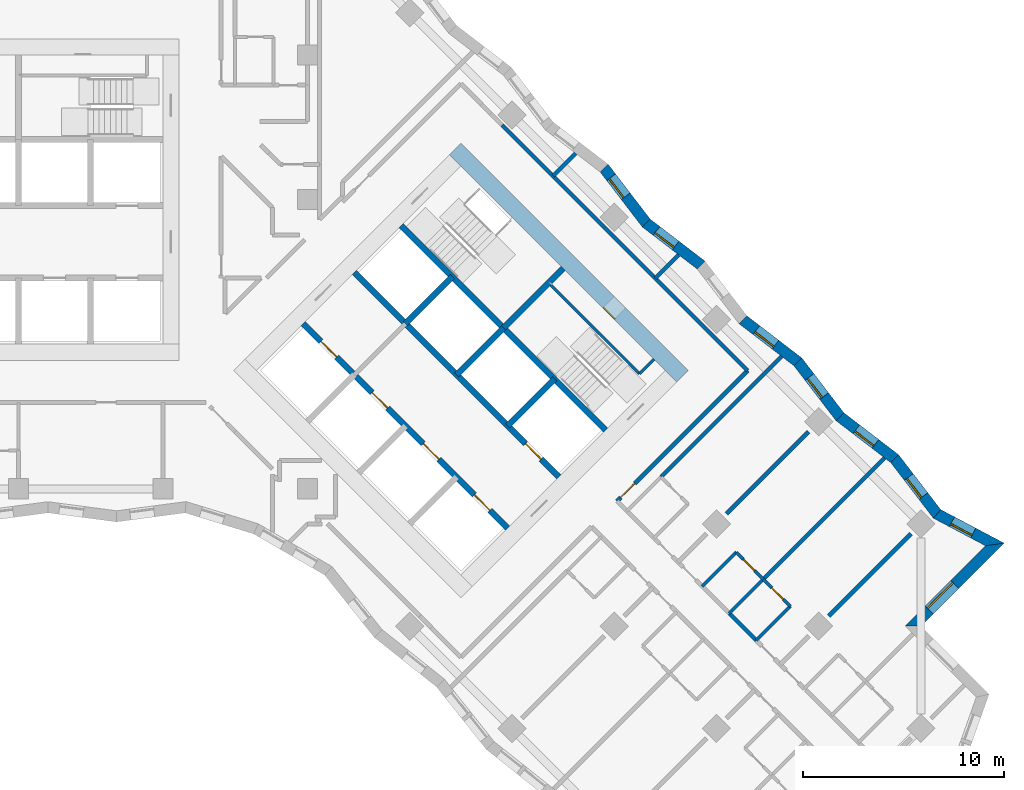
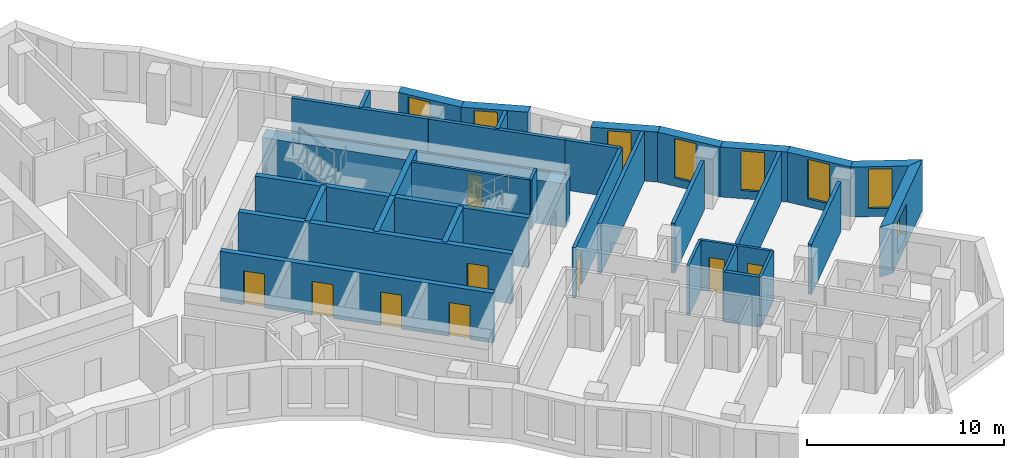
# One storey, part 10 of 13: 35 walls, 9 doors, 8 windows, 17 openings.
"""IFC4 building model written with IfcOpenShell, lengths in metres."""

from ifc_helpers import new_model, si_unit, direction, frame, frame_2d, origin, place, context, subcontext, project, spatial, polyline, rectangle, outline, extrude, material, layer, layer_set, type_object, element, fill, save


model = new_model("IFC4")

# Units and contexts
model_context = context("Model", 3, precision=1e-05, world=origin(), true_north=direction((0.0, 1.0)))
body_context = subcontext(model_context, "Body", "Model", "MODEL_VIEW")
ifc_project = project(units=[si_unit("LENGTHUNIT", "METRE"), si_unit("AREAUNIT", "SQUARE_METRE"), si_unit("VOLUMEUNIT", "CUBIC_METRE"), si_unit("PLANEANGLEUNIT", "RADIAN"), si_unit("MASSUNIT", "GRAM", prefix="KILO")], contexts=[model_context])

# Site, building, storey
site_placement = place(None, origin())
site = spatial("IfcSite", under=ifc_project, at=site_placement, CompositionType="ELEMENT")
building_placement = place(site_placement, origin())
building = spatial("IfcBuilding", under=site, at=building_placement, Name="Windrow Commons", CompositionType="ELEMENT")
storey_placement = place(building_placement, frame((0.0, 0.0, 98.2)))
storey = spatial("IfcBuildingStorey", under=building, at=storey_placement, Name="L26", CompositionType="ELEMENT", Elevation=98.2)

# Wall, opening, window
ifc_material_1 = material(Name="Brick masonry, red clay brick", Category="masonry")
ifc_layer_1 = layer(ifc_material_1, 0.55)
ifc_layer_set_1 = layer_set([ifc_layer_1], Name="Brick facade wall 550")
wall_type_1 = type_object("IfcWallType", Name="Brick facade wall 550", PredefinedType="SOLIDWALL", material=ifc_layer_set_1)
wall_1_placement = place(storey_placement, frame((109.3581, 36.3618, 0.0), z_axis=(0.0, 0.0, 1.0), x_axis=(0.7071067812, 0.7071067812, 0.0)))
wall_1 = element("IfcWall", 1, at=wall_1_placement, inside=storey, type_object=wall_type_1, Name="Brick facade wall L26 6", PredefinedType="SOLIDWALL", context=body_context, shape_type="SweptSolid", body=[
    extrude(outline(polyline([(0.275, -0.275), (6.126, -0.275), (5.3809, 0.275), (-0.275, 0.275), (0.275, -0.275)])), origin(), (0.0, 0.0, 1.0), 3.1),
])
opening_1_placement = place(wall_1_placement, frame((1.1375, 0.0, 0.6)))
opening_1 = element("IfcOpeningElement", 2, at=opening_1_placement, cuts=wall_1, Name="Opening W1L", PredefinedType="OPENING", context=body_context, shape_type="SweptSolid", body=[
    extrude(rectangle(XDim=1.8, YDim=1.9, at=frame_2d((0.9, 0.95))), frame((0.0, 0.285, 0.0), z_axis=(0.0, -1.0, 0.0), x_axis=(1.0, 0.0, 0.0)), (0.0, 0.0, 1.0), 0.57),
])
ifc_material_2 = material(Name="Clear float glass in anodised aluminium frame", Category="aluminium")
window_type_1 = type_object("IfcWindowType", Name="Window W1L bedroom 1800x1900", PartitioningType="SINGLE_PANEL", PredefinedType="WINDOW", material=ifc_material_2)
window_1_placement = place(opening_1_placement, origin())
window_1 = element("IfcWindow", 3, at=window_1_placement, inside=storey, type_object=window_type_1, Name="Window L26 6.1", OverallHeight=1.9, OverallWidth=1.8, PartitioningType="SINGLE_PANEL", PredefinedType="WINDOW", context=body_context, shape_type="SweptSolid", body=[
    extrude(rectangle(XDim=1.8, YDim=1.9, at=frame_2d((0.9, 0.95))), frame((0.0, 0.155, 0.0), z_axis=(0.0, -1.0, 0.0), x_axis=(1.0, 0.0, 0.0)), (0.0, 0.0, 1.0), 0.06),
])
fill(opening_1, window_1)

wall_2_placement = place(storey_placement, frame((113.4264, 40.4301, 0.0), z_axis=(0.0, 0.0, 1.0), x_axis=(-0.8840216829, 0.4674458944, 0.0)))
wall_2 = element("IfcWall", 4, at=wall_2_placement, inside=storey, type_object=wall_type_1, Name="Brick facade wall L26 7", PredefinedType="SOLIDWALL", context=body_context, shape_type="SweptSolid", body=[
    extrude(outline(polyline([(-0.3725, -0.275), (3.1952, -0.275), (3.3155, 0.275), (0.3725, 0.275), (-0.3725, -0.275)])), origin(), (0.0, 0.0, 1.0), 3.1),
])
opening_2_placement = place(wall_2_placement, frame((1.214, 0.0, 0.5)))
opening_2 = element("IfcOpeningElement", 5, at=opening_2_placement, cuts=wall_2, Name="Opening W7D", PredefinedType="OPENING", context=body_context, shape_type="SweptSolid", body=[
    extrude(rectangle(XDim=1.2, YDim=2.45, at=frame_2d((0.6, 1.225))), frame((0.0, 0.285, 0.0), z_axis=(0.0, -1.0, 0.0), x_axis=(1.0, 0.0, 0.0)), (0.0, 0.0, 1.0), 0.57),
])
ifc_material_3 = material(Name="Clear float glass in anodised aluminium frame", Category="aluminium")
window_type_2 = type_object("IfcWindowType", Name="Window W7 notch 1200x2450", PartitioningType="SINGLE_PANEL", PredefinedType="WINDOW", material=ifc_material_3)
window_2_placement = place(opening_2_placement, origin())
window_2 = element("IfcWindow", 6, at=window_2_placement, inside=storey, type_object=window_type_2, Name="Window L26 7.1", OverallHeight=2.45, OverallWidth=1.2, PartitioningType="SINGLE_PANEL", PredefinedType="WINDOW", context=body_context, shape_type="SweptSolid", body=[
    extrude(rectangle(XDim=1.2, YDim=2.45, at=frame_2d((0.6, 1.225))), frame((0.0, 0.155, 0.0), z_axis=(0.0, -1.0, 0.0), x_axis=(1.0, 0.0, 0.0)), (0.0, 0.0, 1.0), 0.06),
])
fill(opening_2, window_2)

wall_3_placement = place(storey_placement, frame((110.5486, 41.9518, 0.0), z_axis=(0.0, 0.0, 1.0), x_axis=(-0.6082751206, 0.7937262612, 0.0)))
wall_3 = element("IfcWall", 7, at=wall_3_placement, inside=storey, type_object=wall_type_1, Name="Brick facade wall L26 8", PredefinedType="SOLIDWALL", context=body_context, shape_type="SweptSolid", body=[
    extrude(outline(polyline([(0.0601, -0.275), (3.4993, -0.275), (3.4265, 0.275), (-0.0601, 0.275), (0.0601, -0.275)])), origin(), (0.0, 0.0, 1.0), 3.1),
])
opening_3_placement = place(wall_3_placement, frame((1.1133, 0.0, 0.5)))
opening_3 = element("IfcOpeningElement", 8, at=opening_3_placement, cuts=wall_3, Name="Opening W7D", PredefinedType="OPENING", context=body_context, shape_type="SweptSolid", body=[
    extrude(rectangle(XDim=1.2, YDim=2.45, at=frame_2d((0.6, 1.225))), frame((0.0, 0.285, 0.0), z_axis=(0.0, -1.0, 0.0), x_axis=(1.0, 0.0, 0.0)), (0.0, 0.0, 1.0), 0.57),
])
window_3_placement = place(opening_3_placement, origin())
window_3 = element("IfcWindow", 9, at=window_3_placement, inside=storey, type_object=window_type_2, Name="Window L26 8.1", OverallHeight=2.45, OverallWidth=1.2, PartitioningType="SINGLE_PANEL", PredefinedType="WINDOW", context=body_context, shape_type="SweptSolid", body=[
    extrude(rectangle(XDim=1.2, YDim=2.45, at=frame_2d((0.6, 1.225))), frame((0.0, 0.155, 0.0), z_axis=(0.0, -1.0, 0.0), x_axis=(1.0, 0.0, 0.0)), (0.0, 0.0, 1.0), 0.06),
])
fill(opening_3, window_3)

wall_4_placement = place(storey_placement, frame((108.4422, 44.7004, 0.0), z_axis=(0.0, 0.0, 1.0), x_axis=(-0.7937392534, 0.6082581669, 0.0)))
wall_4 = element("IfcWall", 10, at=wall_4_placement, inside=storey, type_object=wall_type_1, Name="Brick facade wall L26 9", PredefinedType="SOLIDWALL", context=body_context, shape_type="SweptSolid", body=[
    extrude(outline(polyline([(-0.0364, -0.275), (3.4028, -0.275), (3.4755, 0.275), (0.0364, 0.275), (-0.0364, -0.275)])), origin(), (0.0, 0.0, 1.0), 3.1),
])
opening_4_placement = place(wall_4_placement, frame((1.2118, 0.0, 0.5)))
opening_4 = element("IfcOpeningElement", 11, at=opening_4_placement, cuts=wall_4, Name="Opening W7D", PredefinedType="OPENING", context=body_context, shape_type="SweptSolid", body=[
    extrude(rectangle(XDim=1.2, YDim=2.45, at=frame_2d((0.6, 1.225))), frame((0.0, 0.285, 0.0), z_axis=(0.0, -1.0, 0.0), x_axis=(1.0, 0.0, 0.0)), (0.0, 0.0, 1.0), 0.57),
])
window_4_placement = place(opening_4_placement, origin())
window_4 = element("IfcWindow", 12, at=window_4_placement, inside=storey, type_object=window_type_2, Name="Window L26 9.1", OverallHeight=2.45, OverallWidth=1.2, PartitioningType="SINGLE_PANEL", PredefinedType="WINDOW", context=body_context, shape_type="SweptSolid", body=[
    extrude(rectangle(XDim=1.2, YDim=2.45, at=frame_2d((0.6, 1.225))), frame((0.0, 0.155, 0.0), z_axis=(0.0, -1.0, 0.0), x_axis=(1.0, 0.0, 0.0)), (0.0, 0.0, 1.0), 0.06),
])
fill(opening_4, window_4)

wall_5_placement = place(storey_placement, frame((105.7124, 46.7923, 0.0), z_axis=(0.0, 0.0, 1.0), x_axis=(-0.6082581669, 0.7937392534, 0.0)))
wall_5 = element("IfcWall", 13, at=wall_5_placement, inside=storey, type_object=wall_type_1, Name="Brick facade wall L26 10", PredefinedType="SOLIDWALL", context=body_context, shape_type="SweptSolid", body=[
    extrude(outline(polyline([(0.0364, -0.275), (3.4755, -0.275), (3.4028, 0.275), (-0.0364, 0.275), (0.0364, -0.275)])), origin(), (0.0, 0.0, 1.0), 3.1),
])
opening_5_placement = place(wall_5_placement, frame((1.2897, 0.0, 0.5)))
opening_5 = element("IfcOpeningElement", 14, at=opening_5_placement, cuts=wall_5, Name="Opening W7D", PredefinedType="OPENING", context=body_context, shape_type="SweptSolid", body=[
    extrude(rectangle(XDim=1.2, YDim=2.45, at=frame_2d((0.6, 1.225))), frame((0.0, 0.285, 0.0), z_axis=(0.0, -1.0, 0.0), x_axis=(1.0, 0.0, 0.0)), (0.0, 0.0, 1.0), 0.57),
])
window_5_placement = place(opening_5_placement, origin())
window_5 = element("IfcWindow", 15, at=window_5_placement, inside=storey, type_object=window_type_2, Name="Window L26 10.1", OverallHeight=2.45, OverallWidth=1.2, PartitioningType="SINGLE_PANEL", PredefinedType="WINDOW", context=body_context, shape_type="SweptSolid", body=[
    extrude(rectangle(XDim=1.2, YDim=2.45, at=frame_2d((0.6, 1.225))), frame((0.0, 0.155, 0.0), z_axis=(0.0, -1.0, 0.0), x_axis=(1.0, 0.0, 0.0)), (0.0, 0.0, 1.0), 0.06),
])
fill(opening_5, window_5)

wall_6_placement = place(storey_placement, frame((103.6205, 49.5221, 0.0), z_axis=(0.0, 0.0, 1.0), x_axis=(-0.7937392534, 0.6082581669, 0.0)))
wall_6 = element("IfcWall", 16, at=wall_6_placement, inside=storey, type_object=wall_type_1, Name="Brick facade wall L26 11", PredefinedType="SOLIDWALL", context=body_context, shape_type="SweptSolid", body=[
    extrude(outline(polyline([(-0.0364, -0.275), (3.4028, -0.275), (3.4755, 0.275), (0.0364, 0.275), (-0.0364, -0.275)])), origin(), (0.0, 0.0, 1.0), 3.1),
])
opening_6_placement = place(wall_6_placement, frame((1.404, 0.0, 0.5)))
opening_6 = element("IfcOpeningElement", 17, at=opening_6_placement, cuts=wall_6, Name="Opening W7D", PredefinedType="OPENING", context=body_context, shape_type="SweptSolid", body=[
    extrude(rectangle(XDim=1.2, YDim=2.45, at=frame_2d((0.6, 1.225))), frame((0.0, 0.285, 0.0), z_axis=(0.0, -1.0, 0.0), x_axis=(1.0, 0.0, 0.0)), (0.0, 0.0, 1.0), 0.57),
])
window_6_placement = place(opening_6_placement, origin())
window_6 = element("IfcWindow", 18, at=window_6_placement, inside=storey, type_object=window_type_2, Name="Window L26 11.1", OverallHeight=2.45, OverallWidth=1.2, PartitioningType="SINGLE_PANEL", PredefinedType="WINDOW", context=body_context, shape_type="SweptSolid", body=[
    extrude(rectangle(XDim=1.2, YDim=2.45, at=frame_2d((0.6, 1.225))), frame((0.0, 0.155, 0.0), z_axis=(0.0, -1.0, 0.0), x_axis=(1.0, 0.0, 0.0)), (0.0, 0.0, 1.0), 0.06),
])
fill(opening_6, window_6)

wall_7_placement = place(storey_placement, frame((98.7988, 54.3438, 0.0), z_axis=(0.0, 0.0, 1.0), x_axis=(-0.7937392534, 0.6082581669, 0.0)))
wall_7 = element("IfcWall", 19, at=wall_7_placement, inside=storey, type_object=wall_type_1, Name="Brick facade wall L26 13", PredefinedType="SOLIDWALL", context=body_context, shape_type="SweptSolid", body=[
    extrude(outline(polyline([(-0.0364, -0.275), (3.4028, -0.275), (3.4755, 0.275), (0.0364, 0.275), (-0.0364, -0.275)])), origin(), (0.0, 0.0, 1.0), 3.1),
])
opening_7_placement = place(wall_7_placement, frame((1.5962, 0.0, 0.5)))
opening_7 = element("IfcOpeningElement", 20, at=opening_7_placement, cuts=wall_7, Name="Opening W7D", PredefinedType="OPENING", context=body_context, shape_type="SweptSolid", body=[
    extrude(rectangle(XDim=1.2, YDim=2.45, at=frame_2d((0.6, 1.225))), frame((0.0, 0.285, 0.0), z_axis=(0.0, -1.0, 0.0), x_axis=(1.0, 0.0, 0.0)), (0.0, 0.0, 1.0), 0.57),
])
window_7_placement = place(opening_7_placement, origin())
window_7 = element("IfcWindow", 21, at=window_7_placement, inside=storey, type_object=window_type_2, Name="Window L26 13.1", OverallHeight=2.45, OverallWidth=1.2, PartitioningType="SINGLE_PANEL", PredefinedType="WINDOW", context=body_context, shape_type="SweptSolid", body=[
    extrude(rectangle(XDim=1.2, YDim=2.45, at=frame_2d((0.6, 1.225))), frame((0.0, 0.155, 0.0), z_axis=(0.0, -1.0, 0.0), x_axis=(1.0, 0.0, 0.0)), (0.0, 0.0, 1.0), 0.06),
])
fill(opening_7, window_7)

wall_8_placement = place(storey_placement, frame((96.069, 56.4357, 0.0), z_axis=(0.0, 0.0, 1.0), x_axis=(-0.6082581669, 0.7937392534, 0.0)))
wall_8 = element("IfcWall", 22, at=wall_8_placement, inside=storey, type_object=wall_type_1, Name="Brick facade wall L26 14", PredefinedType="SOLIDWALL", context=body_context, shape_type="SweptSolid", body=[
    extrude(outline(polyline([(0.0364, -0.275), (3.4755, -0.275), (3.4028, 0.275), (-0.0364, 0.275), (0.0364, -0.275)])), origin(), (0.0, 0.0, 1.0), 3.1),
])
opening_8_placement = place(wall_8_placement, frame((1.6741, 0.0, 0.5)))
opening_8 = element("IfcOpeningElement", 23, at=opening_8_placement, cuts=wall_8, Name="Opening W7D", PredefinedType="OPENING", context=body_context, shape_type="SweptSolid", body=[
    extrude(rectangle(XDim=1.2, YDim=2.45, at=frame_2d((0.6, 1.225))), frame((0.0, 0.285, 0.0), z_axis=(0.0, -1.0, 0.0), x_axis=(1.0, 0.0, 0.0)), (0.0, 0.0, 1.0), 0.57),
])
window_8_placement = place(opening_8_placement, origin())
window_8 = element("IfcWindow", 24, at=window_8_placement, inside=storey, type_object=window_type_2, Name="Window L26 14.1", OverallHeight=2.45, OverallWidth=1.2, PartitioningType="SINGLE_PANEL", PredefinedType="WINDOW", context=body_context, shape_type="SweptSolid", body=[
    extrude(rectangle(XDim=1.2, YDim=2.45, at=frame_2d((0.6, 1.225))), frame((0.0, 0.155, 0.0), z_axis=(0.0, -1.0, 0.0), x_axis=(1.0, 0.0, 0.0)), (0.0, 0.0, 1.0), 0.06),
])
fill(opening_8, window_8)

# Wall, opening, door
ifc_material_4 = material(Name="Blockwork partition", Category="masonry")
ifc_layer_2 = layer(ifc_material_4, 0.2)
ifc_layer_set_2 = layer_set([ifc_layer_2], Name="IW-CORRIDOR-200")
wall_type_2 = type_object("IfcWallType", Name="IW-CORRIDOR-200", PredefinedType="PARTITIONING", material=ifc_layer_set_2)
wall_9_placement = place(storey_placement, frame((94.6155, 42.5865, 0.0), z_axis=(0.0, 0.0, 1.0), x_axis=(0.7071067812, 0.7071067812, 0.0)))
wall_9 = element("IfcWall", 25, at=wall_9_placement, inside=storey, type_object=wall_type_2, Name="W-L26-W008", PredefinedType="PARTITIONING", context=body_context, shape_type="SweptSolid", body=[
    extrude(rectangle(XDim=9.198, YDim=0.2, at=frame_2d((4.599, 0.0))), origin(), (0.0, 0.0, 1.0), 3.1),
])
opening_9_placement = place(wall_9_placement, frame((0.2485, 0.0, 0.0)))
opening_9 = element("IfcOpeningElement", 26, at=opening_9_placement, cuts=wall_9, Name="Opening D310F", PredefinedType="OPENING", context=body_context, shape_type="SweptSolid", body=[
    extrude(rectangle(XDim=1.0, YDim=2.1, at=frame_2d((0.5, 1.05))), frame((0.0, 0.11, 0.0), z_axis=(0.0, -1.0, 0.0), x_axis=(1.0, 0.0, 0.0)), (0.0, 0.0, 1.0), 0.22),
])
ifc_material_5 = material(Name="Timber door leaf", Category="wood")
door_type_1 = type_object("IfcDoorType", Name="DT-AMENITY-1000", OperationType="SINGLE_SWING_LEFT", PredefinedType="DOOR", material=ifc_material_5)
door_1_placement = place(opening_9_placement, origin())
door_1 = element("IfcDoor", 27, at=door_1_placement, inside=storey, type_object=door_type_1, Name="D-L26-D047", OperationType="SINGLE_SWING_RIGHT", OverallHeight=2.1, OverallWidth=1.0, PredefinedType="DOOR", context=body_context, shape_type="SweptSolid", body=[
    extrude(rectangle(XDim=1.0, YDim=2.1, at=frame_2d((0.5, 1.05))), frame((0.0, 0.025, 0.0), z_axis=(0.0, -1.0, 0.0), x_axis=(1.0, 0.0, 0.0)), (0.0, 0.0, 1.0), 0.05),
])
fill(opening_9, door_1)

# Walls
wall_10_placement = place(storey_placement, frame((88.8888, 61.3148, 0.0), z_axis=(0.0, 0.0, 1.0), x_axis=(0.7071067812, -0.7071067812, 0.0)))
element("IfcWall", 28, at=wall_10_placement, inside=storey, type_object=wall_type_2, Name="W-L26-W019", PredefinedType="PARTITIONING", context=body_context, shape_type="SweptSolid", body=[
    extrude(rectangle(XDim=7.187, YDim=0.2, at=frame_2d((3.5935, 0.0))), origin(), (0.0, 0.0, 1.0), 3.1),
])
wall_11_placement = place(storey_placement, frame((93.9808, 56.2228, 0.0), z_axis=(0.0, 0.0, 1.0), x_axis=(0.7071067812, -0.7071067812, 0.0)))
element("IfcWall", 29, at=wall_11_placement, inside=storey, type_object=wall_type_2, Name="W-L26-W020", PredefinedType="PARTITIONING", context=body_context, shape_type="SweptSolid", body=[
    extrude(rectangle(XDim=7.1842, YDim=0.2, at=frame_2d((3.5921, 0.0))), origin(), (0.0, 0.0, 1.0), 3.1),
])
wall_12_placement = place(storey_placement, frame((99.0708, 51.1328, 0.0), z_axis=(0.0, 0.0, 1.0), x_axis=(0.7071067812, -0.7071067812, 0.0)))
element("IfcWall", 30, at=wall_12_placement, inside=storey, type_object=wall_type_2, Name="W-L26-W062", PredefinedType="PARTITIONING", context=body_context, shape_type="SweptSolid", body=[
    extrude(rectangle(XDim=2.8935, YDim=0.2, at=frame_2d((1.4467, 0.0))), origin(), (0.0, 0.0, 1.0), 3.1),
])
wall_13_placement = place(storey_placement, frame((100.2008, 36.9968, 0.0), z_axis=(0.0, 0.0, 1.0), x_axis=(0.7076330979, -0.7065800724, 0.0)))
element("IfcWall", 31, at=wall_13_placement, inside=storey, type_object=wall_type_2, Name="W-L26-W147", PredefinedType="PARTITIONING", context=body_context, shape_type="SweptSolid", body=[
    extrude(rectangle(XDim=1.8993, YDim=0.2, at=frame_2d((0.9496, 0.0))), origin(), (0.0, 0.0, 1.0), 3.1),
])
ifc_material_6 = material(Name="Blockwork partition", Category="masonry")
ifc_layer_3 = layer(ifc_material_6, 0.15)
ifc_layer_set_3 = layer_set([ifc_layer_3], Name="IW-ENSUITE-150")
wall_type_3 = type_object("IfcWallType", Name="IW-ENSUITE-150", PredefinedType="PARTITIONING", material=ifc_layer_set_3)
wall_14_placement = place(storey_placement, frame((100.2026, 36.9974, 0.0), z_axis=(0.0, 0.0, 1.0), x_axis=(0.706689978, 0.7075233388, 0.0)))
element("IfcWall", 32, at=wall_14_placement, inside=storey, type_object=wall_type_3, Name="W-L26-W102", PredefinedType="PARTITIONING", context=body_context, shape_type="SweptSolid", body=[
    extrude(rectangle(XDim=2.3999, YDim=0.15, at=frame_2d((1.2, 0.0))), origin(), (0.0, 0.0, 1.0), 3.1),
])
for number, where, z_axis, x_axis, name in (
    (33, (98.8571, 38.3429, 0.0), (0.0, 0.0, 1.0), (0.7071067812, 0.7071067812, 0.0), "W-L26-W107"),
    (34, (101.5451, 35.6569, 0.0), (0.0, 0.0, 1.0), (0.7071067812, 0.7071067812, 0.0), "W-L26-W108"),
):
    element("IfcWall", number, at=place(storey_placement, frame(where, z_axis=z_axis, x_axis=x_axis)), inside=storey, type_object=wall_type_3, Name=name, PredefinedType="PARTITIONING", context=body_context, shape_type="SweptSolid", body=[
        extrude(rectangle(XDim=2.3985, YDim=0.15, at=frame_2d((1.1992, 0.0))), origin(), (0.0, 0.0, 1.0), 3.1),
    ])

# Wall, opening, door
wall_15_placement = place(storey_placement, frame((101.8945, 38.6925, 0.0), z_axis=(0.0, 0.0, 1.0), x_axis=(0.7071067812, -0.7071067812, 0.0)))
wall_15 = element("IfcWall", 35, at=wall_15_placement, inside=storey, type_object=wall_type_3, Name="W-L26-W132", PredefinedType="PARTITIONING", context=body_context, shape_type="SweptSolid", body=[
    extrude(rectangle(XDim=1.9007, YDim=0.15, at=frame_2d((0.9504, 0.0))), origin(), (0.0, 0.0, 1.0), 3.1),
])
opening_10_placement = place(wall_15_placement, frame((0.6075, 0.0, 0.0)))
opening_10 = element("IfcOpeningElement", 36, at=opening_10_placement, cuts=wall_15, Name="Opening D208N", PredefinedType="OPENING", context=body_context, shape_type="SweptSolid", body=[
    extrude(rectangle(XDim=0.8, YDim=2.1, at=frame_2d((0.4, 1.05))), frame((0.0, 0.085, 0.0), z_axis=(0.0, -1.0, 0.0), x_axis=(1.0, 0.0, 0.0)), (0.0, 0.0, 1.0), 0.17),
])
ifc_material_7 = material(Name="Timber door leaf", Category="wood")
door_type_2 = type_object("IfcDoorType", Name="DT-ENSUITE-800", OperationType="SINGLE_SWING_LEFT", PredefinedType="DOOR", material=ifc_material_7)
door_2_placement = place(opening_10_placement, origin())
door_2 = element("IfcDoor", 37, at=door_2_placement, inside=storey, type_object=door_type_2, Name="D-L26-D053", OperationType="SINGLE_SWING_RIGHT", OverallHeight=2.1, OverallWidth=0.8, PredefinedType="DOOR", context=body_context, shape_type="SweptSolid", body=[
    extrude(rectangle(XDim=0.8, YDim=2.1, at=frame_2d((0.4, 1.05))), frame((0.0, 0.025, 0.0), z_axis=(0.0, -1.0, 0.0), x_axis=(1.0, 0.0, 0.0)), (0.0, 0.0, 1.0), 0.05),
])
fill(opening_10, door_2)

wall_16_placement = place(storey_placement, frame((100.5528, 40.0368, 0.0), z_axis=(0.0, 0.0, 1.0), x_axis=(0.7076330979, -0.7065800724, 0.0)))
wall_16 = element("IfcWall", 38, at=wall_16_placement, inside=storey, type_object=wall_type_3, Name="W-L26-W145", PredefinedType="PARTITIONING", context=body_context, shape_type="SweptSolid", body=[
    extrude(rectangle(XDim=1.8993, YDim=0.15, at=frame_2d((0.9496, 0.0))), origin(), (0.0, 0.0, 1.0), 3.1),
])
opening_11_placement = place(wall_16_placement, frame((0.493, 0.0, 0.0)))
opening_11 = element("IfcOpeningElement", 39, at=opening_11_placement, cuts=wall_16, Name="Opening D208N", PredefinedType="OPENING", context=body_context, shape_type="SweptSolid", body=[
    extrude(rectangle(XDim=0.8, YDim=2.1, at=frame_2d((0.4, 1.05))), frame((0.0, 0.085, 0.0), z_axis=(0.0, -1.0, 0.0), x_axis=(1.0, 0.0, 0.0)), (0.0, 0.0, 1.0), 0.17),
])
door_3_placement = place(opening_11_placement, origin())
door_3 = element("IfcDoor", 40, at=door_3_placement, inside=storey, type_object=door_type_2, Name="D-L26-D051", OperationType="SINGLE_SWING_RIGHT", OverallHeight=2.1, OverallWidth=0.8, PredefinedType="DOOR", context=body_context, shape_type="SweptSolid", body=[
    extrude(rectangle(XDim=0.8, YDim=2.1, at=frame_2d((0.4, 1.05))), frame((0.0, 0.025, 0.0), z_axis=(0.0, -1.0, 0.0), x_axis=(1.0, 0.0, 0.0)), (0.0, 0.0, 1.0), 0.05),
])
fill(opening_11, door_3)

# Walls
ifc_material_8 = material(Name="Blockwork partition", Category="masonry")
ifc_layer_4 = layer(ifc_material_8, 0.2)
ifc_layer_set_4 = layer_set([ifc_layer_4], Name="IW-PARTY-200")
wall_type_4 = type_object("IfcWallType", Name="IW-PARTY-200", PredefinedType="PARTITIONING", material=ifc_layer_set_4)
wall_17_placement = place(storey_placement, frame((101.8958, 38.6982, 0.0), z_axis=(0.0, 0.0, 1.0), x_axis=(0.7072296489, 0.7069838921, 0.0)))
element("IfcWall", 41, at=wall_17_placement, inside=storey, type_object=wall_type_4, Name="W-L26-W010", PredefinedType="PARTITIONING", context=body_context, shape_type="SweptSolid", body=[
    extrude(rectangle(XDim=8.545, YDim=0.2, at=frame_2d((4.2725, 0.0))), origin(), (0.0, 0.0, 1.0), 3.1),
])
wall_18_placement = place(storey_placement, frame((96.8054, 43.7866, 0.0), z_axis=(0.0, 0.0, 1.0), x_axis=(0.7071126661, 0.7071008962, 0.0)))
element("IfcWall", 42, at=wall_18_placement, inside=storey, type_object=wall_type_4, Name="W-L26-W011", PredefinedType="PARTITIONING", context=body_context, shape_type="SweptSolid", body=[
    extrude(rectangle(XDim=8.4962, YDim=0.2, at=frame_2d((4.2481, 0.0))), origin(), (0.0, 0.0, 1.0), 3.1),
])
for number, where, z_axis, x_axis, name in (
    (43, (105.1552, 36.8628, 0.0), (0.0, 0.0, 1.0), (0.7071067812, 0.7071067812, 0.0), "W-L26-W038"),
    (44, (100.063, 41.953, 0.0), (0.0, 0.0, 1.0), (0.7071067812, 0.7071067812, 0.0), "W-L26-W039"),
):
    element("IfcWall", number, at=place(storey_placement, frame(where, z_axis=z_axis, x_axis=x_axis)), inside=storey, type_object=wall_type_4, Name=name, PredefinedType="PARTITIONING", context=body_context, shape_type="SweptSolid", body=[
        extrude(rectangle(XDim=5.787, YDim=0.2, at=frame_2d((2.8935, 0.0))), origin(), (0.0, 0.0, 1.0), 3.1),
    ])
wall_19_placement = place(storey_placement, frame((96.5233, 53.6867, 0.0), z_axis=(0.0, 0.0, 1.0), x_axis=(0.7070763817, 0.7071371793, 0.0)))
element("IfcWall", 45, at=wall_19_placement, inside=storey, type_object=wall_type_4, Name="W-L26-W161", PredefinedType="PARTITIONING", context=body_context, shape_type="SweptSolid", body=[
    extrude(rectangle(XDim=1.6448, YDim=0.2, at=frame_2d((0.8224, 0.0))), origin(), (0.0, 0.0, 1.0), 3.1),
])
wall_20_placement = place(storey_placement, frame((91.4321, 58.7779, 0.0), z_axis=(0.0, 0.0, 1.0), x_axis=(0.7070754218, 0.7071381392, 0.0)))
element("IfcWall", 46, at=wall_20_placement, inside=storey, type_object=wall_type_4, Name="W-L26-W163", PredefinedType="PARTITIONING", context=body_context, shape_type="SweptSolid", body=[
    extrude(rectangle(XDim=1.5945, YDim=0.2, at=frame_2d((0.7973, 0.0))), origin(), (0.0, 0.0, 1.0), 3.1),
])

# Wall, opening, door
ifc_material_9 = material(Name="Concrete C50/60", Category="concrete")
ifc_layer_5 = layer(ifc_material_9, 0.8)
ifc_layer_set_5 = layer_set([ifc_layer_5], Name="RC CORE WALL 800 C50/60")
wall_type_5 = type_object("IfcWallType", Name="RC CORE WALL 800 C50/60", PredefinedType="SHEAR", material=ifc_layer_set_5)
wall_21_placement = place(storey_placement, frame((86.5539, 60.1206, -0.3), z_axis=(0.0, 0.0, 1.0), x_axis=(0.7071067812, -0.7071067812, 0.0)))
wall_21 = element("IfcWall", 47, at=wall_21_placement, inside=storey, type_object=wall_type_5, Name="Core B wall outer-N", PredefinedType="SHEAR", context=body_context, shape_type="SweptSolid", body=[
    extrude(rectangle(XDim=16.0, YDim=0.8, at=frame_2d((8.0, 0.0))), origin(), (0.0, 0.0, 1.0), 2.7),
])
opening_12_placement = place(wall_21_placement, frame((10.8, 0.0, 0.3)))
opening_12 = element("IfcOpeningElement", 48, at=opening_12_placement, cuts=wall_21, Name="Opening D9", PredefinedType="OPENING", context=body_context, shape_type="SweptSolid", body=[
    extrude(rectangle(XDim=0.8, YDim=2.1, at=frame_2d((0.4, 1.05))), frame((0.0, 0.41, 0.0), z_axis=(0.0, -1.0, 0.0), x_axis=(1.0, 0.0, 0.0)), (0.0, 0.0, 1.0), 0.82),
])
ifc_material_10 = material(Name="Steel fire door leaf", Category="steel")
door_type_3 = type_object("IfcDoorType", Name="Riser access door 800", OperationType="SINGLE_SWING_LEFT", PredefinedType="DOOR", material=ifc_material_10)
door_4_placement = place(opening_12_placement, origin())
door_4 = element("IfcDoor", 49, at=door_4_placement, inside=storey, type_object=door_type_3, Name="Riser access door", OperationType="SINGLE_SWING_RIGHT", OverallHeight=2.1, OverallWidth=0.8, PredefinedType="DOOR", context=body_context, shape_type="SweptSolid", body=[
    extrude(rectangle(XDim=0.8, YDim=2.1, at=frame_2d((0.4, 1.05))), frame((0.0, -0.34, 0.0), z_axis=(0.0, -1.0, 0.0), x_axis=(1.0, 0.0, 0.0)), (0.0, 0.0, 1.0), 0.05),
])
fill(opening_12, door_4)

# Walls
ifc_material_11 = material(Name="Concrete C50/60", Category="concrete")
ifc_layer_6 = layer(ifc_material_11, 0.3)
ifc_layer_set_6 = layer_set([ifc_layer_6], Name="RC SHAFT WALL 300 C50/60")
wall_type_6 = type_object("IfcWallType", Name="RC SHAFT WALL 300 C50/60", PredefinedType="SOLIDWALL", material=ifc_layer_set_6)
wall_22_placement = place(storey_placement, frame((84.079, 51.4232, 0.0), z_axis=(0.0, 0.0, 1.0), x_axis=(0.7071219326, 0.7070916295, 0.0)))
element("IfcWall", 50, at=wall_22_placement, inside=storey, type_object=wall_type_6, Name="Core B wall shaft-N1", PredefinedType="SOLIDWALL", context=body_context, shape_type="SweptSolid", body=[
    extrude(rectangle(XDim=3.3, YDim=0.3, at=frame_2d((1.65, 0.0))), origin(), (0.0, 0.0, 1.0), 3.1),
])
for number, where, z_axis, x_axis, name in (
    (51, (86.6246, 48.8776, 0.0), (0.0, 0.0, 1.0), (0.7071067812, 0.7071067812, 0.0), "Core B wall shaft-N2"),
    (52, (89.1702, 46.332, 0.0), (0.0, 0.0, 1.0), (0.7071067812, 0.7071067812, 0.0), "Core B wall shaft-N3"),
):
    element("IfcWall", number, at=place(storey_placement, frame(where, z_axis=z_axis, x_axis=x_axis)), inside=storey, type_object=wall_type_6, Name=name, PredefinedType="SOLIDWALL", context=body_context, shape_type="SweptSolid", body=[
        extrude(rectangle(XDim=3.3001, YDim=0.3, at=frame_2d((1.6501, 0.0))), origin(), (0.0, 0.0, 1.0), 3.1),
    ])

# Wall, openings, doors
wall_23_placement = place(storey_placement, frame((78.9879, 51.4232, 0.0), z_axis=(0.0, 0.0, 1.0), x_axis=(0.7071067812, -0.7071067812, 0.0)))
wall_23 = element("IfcWall", 53, at=wall_23_placement, inside=storey, type_object=wall_type_6, Name="Core B wall lobby-S", PredefinedType="SOLIDWALL", context=body_context, shape_type="SweptSolid", body=[
    extrude(rectangle(XDim=14.3999, YDim=0.3, at=frame_2d((7.2, 0.0))), origin(), (0.0, 0.0, 1.0), 3.1),
])
opening_13_placement = place(wall_23_placement, frame((1.25, 0.0, 0.0)))
opening_13 = element("IfcOpeningElement", 54, at=opening_13_placement, cuts=wall_23, Name="Opening LD", PredefinedType="OPENING", context=body_context, shape_type="SweptSolid", body=[
    extrude(rectangle(XDim=1.1, YDim=2.1, at=frame_2d((0.55, 1.05))), frame((0.0, 0.16, 0.0), z_axis=(0.0, -1.0, 0.0), x_axis=(1.0, 0.0, 0.0)), (0.0, 0.0, 1.0), 0.32),
])
opening_14_placement = place(wall_23_placement, frame((4.85, 0.0, 0.0)))
opening_14 = element("IfcOpeningElement", 55, at=opening_14_placement, cuts=wall_23, Name="Opening LD", PredefinedType="OPENING", context=body_context, shape_type="SweptSolid", body=[
    extrude(rectangle(XDim=1.1, YDim=2.1, at=frame_2d((0.55, 1.05))), frame((0.0, 0.16, 0.0), z_axis=(0.0, -1.0, 0.0), x_axis=(1.0, 0.0, 0.0)), (0.0, 0.0, 1.0), 0.32),
])
opening_15_placement = place(wall_23_placement, frame((8.45, 0.0, 0.0)))
opening_15 = element("IfcOpeningElement", 56, at=opening_15_placement, cuts=wall_23, Name="Opening LD", PredefinedType="OPENING", context=body_context, shape_type="SweptSolid", body=[
    extrude(rectangle(XDim=1.1, YDim=2.1, at=frame_2d((0.55, 1.05))), frame((0.0, 0.16, 0.0), z_axis=(0.0, -1.0, 0.0), x_axis=(1.0, 0.0, 0.0)), (0.0, 0.0, 1.0), 0.32),
])
opening_16_placement = place(wall_23_placement, frame((12.05, 0.0, 0.0)))
opening_16 = element("IfcOpeningElement", 57, at=opening_16_placement, cuts=wall_23, Name="Opening LD", PredefinedType="OPENING", context=body_context, shape_type="SweptSolid", body=[
    extrude(rectangle(XDim=1.1, YDim=2.1, at=frame_2d((0.55, 1.05))), frame((0.0, 0.16, 0.0), z_axis=(0.0, -1.0, 0.0), x_axis=(1.0, 0.0, 0.0)), (0.0, 0.0, 1.0), 0.32),
])
ifc_material_12 = material(Name="Stainless steel door leaf", Category="steel")
door_type_4 = type_object("IfcDoorType", Name="Lift landing door 1100", OperationType="SLIDING_TO_LEFT", PredefinedType="DOOR", material=ifc_material_12)
door_5_placement = place(opening_13_placement, origin())
door_5 = element("IfcDoor", 58, at=door_5_placement, inside=storey, type_object=door_type_4, Name="Lift landing door", OperationType="SLIDING_TO_LEFT", OverallHeight=2.1, OverallWidth=1.1, PredefinedType="DOOR", context=body_context, shape_type="SweptSolid", body=[
    extrude(rectangle(XDim=1.1, YDim=2.1, at=frame_2d((0.55, 1.05))), frame((0.0, 0.025, 0.0), z_axis=(0.0, -1.0, 0.0), x_axis=(1.0, 0.0, 0.0)), (0.0, 0.0, 1.0), 0.05),
])
fill(opening_13, door_5)
door_6_placement = place(opening_14_placement, origin())
door_6 = element("IfcDoor", 59, at=door_6_placement, inside=storey, type_object=door_type_4, Name="Lift landing door", OperationType="SLIDING_TO_RIGHT", OverallHeight=2.1, OverallWidth=1.1, PredefinedType="DOOR", context=body_context, shape_type="SweptSolid", body=[
    extrude(rectangle(XDim=1.1, YDim=2.1, at=frame_2d((0.55, 1.05))), frame((0.0, 0.025, 0.0), z_axis=(0.0, -1.0, 0.0), x_axis=(1.0, 0.0, 0.0)), (0.0, 0.0, 1.0), 0.05),
])
fill(opening_14, door_6)
door_7_placement = place(opening_15_placement, origin())
door_7 = element("IfcDoor", 60, at=door_7_placement, inside=storey, type_object=door_type_4, Name="Lift landing door", OperationType="SLIDING_TO_LEFT", OverallHeight=2.1, OverallWidth=1.1, PredefinedType="DOOR", context=body_context, shape_type="SweptSolid", body=[
    extrude(rectangle(XDim=1.1, YDim=2.1, at=frame_2d((0.55, 1.05))), frame((0.0, 0.025, 0.0), z_axis=(0.0, -1.0, 0.0), x_axis=(1.0, 0.0, 0.0)), (0.0, 0.0, 1.0), 0.05),
])
fill(opening_15, door_7)
door_8_placement = place(opening_16_placement, origin())
door_8 = element("IfcDoor", 61, at=door_8_placement, inside=storey, type_object=door_type_4, Name="Lift landing door", OperationType="SLIDING_TO_RIGHT", OverallHeight=2.1, OverallWidth=1.1, PredefinedType="DOOR", context=body_context, shape_type="SweptSolid", body=[
    extrude(rectangle(XDim=1.1, YDim=2.1, at=frame_2d((0.55, 1.05))), frame((0.0, 0.025, 0.0), z_axis=(0.0, -1.0, 0.0), x_axis=(1.0, 0.0, 0.0)), (0.0, 0.0, 1.0), 0.05),
])
fill(opening_16, door_8)

# Wall, opening, door
wall_24_placement = place(storey_placement, frame((81.5335, 53.9688, 0.0), z_axis=(0.0, 0.0, 1.0), x_axis=(0.707103309, -0.7071102534, 0.0)))
wall_24 = element("IfcWall", 62, at=wall_24_placement, inside=storey, type_object=wall_type_6, Name="Core B wall lobby-N", PredefinedType="SOLIDWALL", context=body_context, shape_type="SweptSolid", body=[
    extrude(rectangle(XDim=14.4, YDim=0.3, at=frame_2d((7.2, 0.0))), origin(), (0.0, 0.0, 1.0), 3.1),
])
opening_17_placement = place(wall_24_placement, frame((12.05, 0.0, 0.0)))
opening_17 = element("IfcOpeningElement", 63, at=opening_17_placement, cuts=wall_24, Name="Opening LD", PredefinedType="OPENING", context=body_context, shape_type="SweptSolid", body=[
    extrude(rectangle(XDim=1.1, YDim=2.1, at=frame_2d((0.55, 1.05))), frame((0.0, 0.16, 0.0), z_axis=(0.0, -1.0, 0.0), x_axis=(1.0, 0.0, 0.0)), (0.0, 0.0, 1.0), 0.32),
])
door_9_placement = place(opening_17_placement, origin())
door_9 = element("IfcDoor", 64, at=door_9_placement, inside=storey, type_object=door_type_4, Name="Lift landing door", OperationType="SLIDING_TO_RIGHT", OverallHeight=2.1, OverallWidth=1.1, PredefinedType="DOOR", context=body_context, shape_type="SweptSolid", body=[
    extrude(rectangle(XDim=1.1, YDim=2.1, at=frame_2d((0.55, 1.05))), frame((0.0, 0.025, 0.0), z_axis=(0.0, -1.0, 0.0), x_axis=(1.0, 0.0, 0.0)), (0.0, 0.0, 1.0), 0.05),
])
fill(opening_17, door_9)

# Walls
for number, where, z_axis, x_axis, name in (
    (65, (83.8669, 56.3022, 0.0), (0.0, 0.0, 1.0), (0.7071137256, -0.7070998367, 0.0), "Core B wall stair-S"),
    (66, (88.9581, 51.2111, 0.0), (0.0, 0.0, 1.0), (0.7070998367, -0.7071137256, 0.0), "Core B wall stair-S2"),
):
    element("IfcWall", number, at=place(storey_placement, frame(where, z_axis=z_axis, x_axis=x_axis)), inside=storey, type_object=wall_type_6, Name=name, PredefinedType="SOLIDWALL", context=body_context, shape_type="SweptSolid", body=[
        extrude(rectangle(XDim=7.2, YDim=0.3, at=frame_2d((3.6, 0.0))), origin(), (0.0, 0.0, 1.0), 3.1),
    ])
wall_25_placement = place(storey_placement, frame((88.9581, 51.2111, 0.0), z_axis=(0.0, 0.0, 1.0), x_axis=(0.7071067812, 0.7071067812, 0.0)))
element("IfcWall", 67, at=wall_25_placement, inside=storey, type_object=wall_type_6, Name="Core B wall stair-mid", PredefinedType="SOLIDWALL", context=body_context, shape_type="SweptSolid", body=[
    extrude(rectangle(XDim=4.1999, YDim=0.3, at=frame_2d((2.1, 0.0))), origin(), (0.0, 0.0, 1.0), 3.1),
])
ifc_material_13 = material(Name="Blockwork partition", Category="masonry")
ifc_layer_7 = layer(ifc_material_13, 0.15)
ifc_layer_set_7 = layer_set([ifc_layer_7], Name="Riser partition 150")
wall_type_7 = type_object("IfcWallType", Name="Riser partition 150", PredefinedType="PARTITIONING", material=ifc_layer_set_7)
wall_26_placement = place(storey_placement, frame((91.3127, 53.3536, 0.0), z_axis=(0.0, 0.0, 1.0), x_axis=(0.7071147811, -0.7070987812, 0.0)))
element("IfcWall", 68, at=wall_26_placement, inside=storey, type_object=wall_type_7, Name="W-core-strip-B-L26", PredefinedType="PARTITIONING", context=body_context, shape_type="SweptSolid", body=[
    extrude(rectangle(XDim=6.25, YDim=0.15, at=frame_2d((3.125, 0.0))), origin(), (0.0, 0.0, 1.0), 3.1),
])
wall_27_placement = place(storey_placement, frame((95.7322, 48.9342, 0.0), z_axis=(0.0, 0.0, 1.0), x_axis=(0.7071067812, 0.7071067812, 0.0)))
element("IfcWall", 69, at=wall_27_placement, inside=storey, type_object=wall_type_7, Name="W-core-stripx-B-L26-1", PredefinedType="PARTITIONING", context=body_context, shape_type="SweptSolid", body=[
    extrude(rectangle(XDim=1.0199, YDim=0.15, at=frame_2d((0.51, 0.0))), origin(), (0.0, 0.0, 1.0), 3.1),
])

save(model, "model.ifc")
